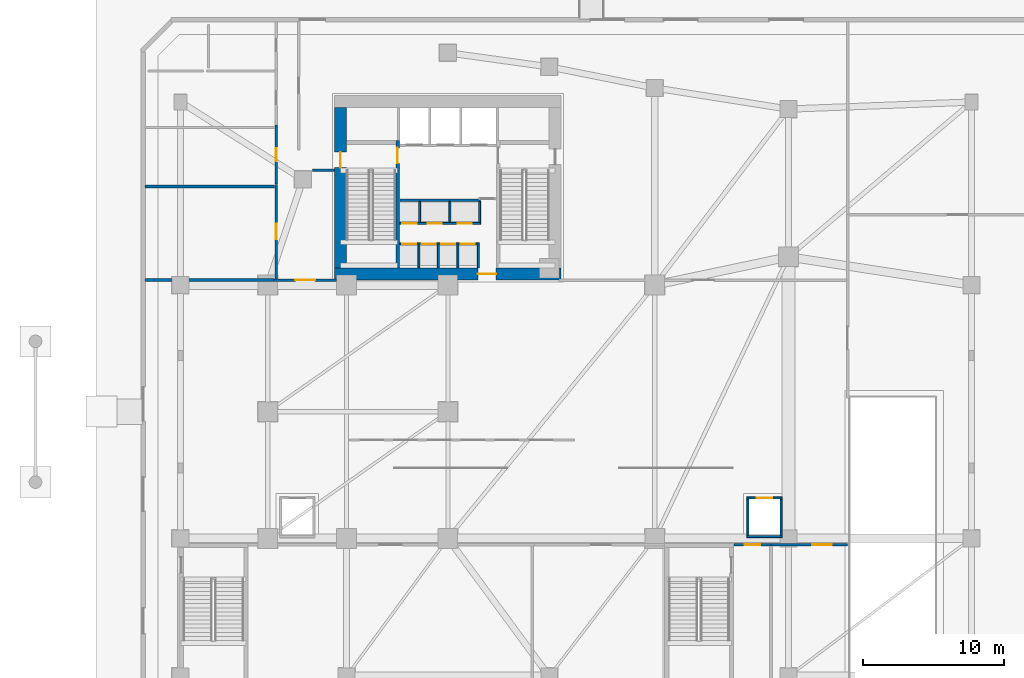
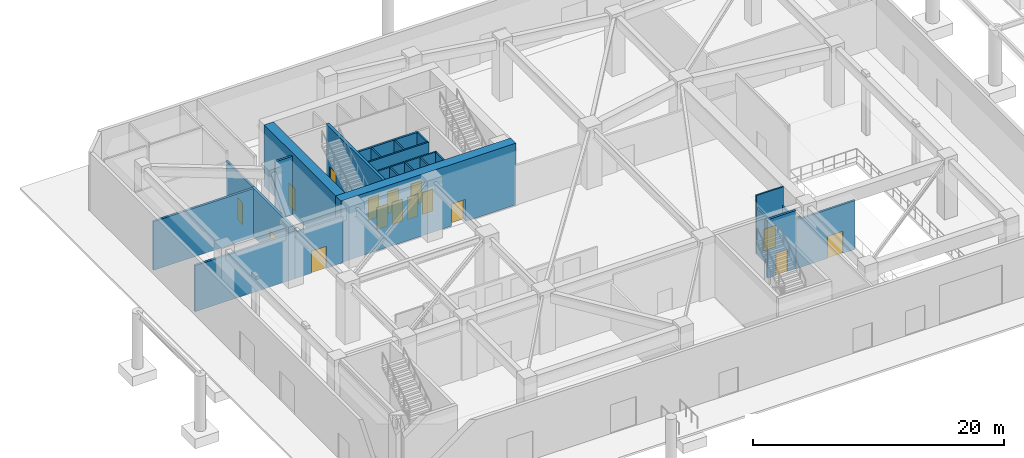
# One storey, part 4 of 13: 25 walls, 16 doors, 16 openings.
"""IFC4 building model written with IfcOpenShell, lengths in metres."""

from ifc_helpers import new_model, si_unit, direction, frame, frame_2d, origin, place, context, subcontext, project, spatial, rectangle, extrude, source, transform, mapped, material, layer, layer_set, type_object, element, fill, save


model = new_model("IFC4")

# Units and contexts
model_context = context("Model", 3, precision=1e-05, world=origin(), true_north=direction((0.0, 1.0)))
body_context = subcontext(model_context, "Body", "Model", "MODEL_VIEW")
ifc_project = project(units=[si_unit("LENGTHUNIT", "METRE"), si_unit("AREAUNIT", "SQUARE_METRE"), si_unit("VOLUMEUNIT", "CUBIC_METRE"), si_unit("PLANEANGLEUNIT", "RADIAN"), si_unit("MASSUNIT", "GRAM", prefix="KILO")], contexts=[model_context])

# Site, building, storey
site_placement = place(None, origin())
site = spatial("IfcSite", under=ifc_project, at=site_placement, CompositionType="ELEMENT")
building_placement = place(site_placement, origin())
building = spatial("IfcBuilding", under=site, at=building_placement, Name="Calvemar Wedge Station Tower", CompositionType="ELEMENT")
storey_placement = place(building_placement, origin())
storey = spatial("IfcBuildingStorey", under=building, at=storey_placement, Name="L01", CompositionType="ELEMENT", Elevation=0.0)

# Wall, opening, door
ifc_material_1 = material(Name="Concrete C50", Category="concrete")
ifc_layer_1 = layer(ifc_material_1, 0.260009765625)
ifc_layer_set_1 = layer_set([ifc_layer_1], Name="Concrete C50")
wall_type_1 = type_object("IfcWallType", Name="SW-CORE-260", PredefinedType="SHEAR", material=ifc_layer_set_1)
wall_1_placement = place(storey_placement, frame((20.22998046875, 34.199951171875, 0.0), z_axis=(0.0, 0.0, 1.0), x_axis=(0.0, 1.0, 0.0)))
wall_1 = element("IfcWall", 1, at=wall_1_placement, inside=storey, type_object=wall_type_1, Name="Storey L01 Core Shear Wall SPINE-W", PredefinedType="SHEAR", context=body_context, shape_type="SweptSolid", body=[
    extrude(rectangle(XDim=9.06005859375, YDim=0.260009765625, at=frame_2d((4.530029296875, 0.0))), origin(), (0.0, 0.0, 1.0), 6.0),
])
shared_shape_1 = source(origin(), body_context, "Body", "SweptSolid", [
    extrude(rectangle(XDim=1.10009765625, YDim=2.14990234375, at=frame_2d((0.550048828125, 1.074951171875))), frame((0.0, 0.14013671875, 0.0), z_axis=(0.0, -1.0, 0.0), x_axis=(1.0, 0.0, 0.0)), (0.0, 0.0, 1.0), 0.280029296875),
])
opening_1_placement = place(wall_1_placement, frame((7.449951171875, 0.0, 0.0)))
opening_1 = element("IfcOpeningElement", 2, at=opening_1_placement, cuts=wall_1, Name="Opening FD-90", PredefinedType="OPENING", context=body_context, shape_type="MappedRepresentation", body=[
    mapped(shared_shape_1, transform((0.0, 0.0, 0.0), scale=1.0)),
])
ifc_material_2 = material(Name="Galvanized fire-rated steel door leaf P-90", Category="steel")
door_type_1 = type_object("IfcDoorType", Name="DR-FD90-1100", OperationType="NOTDEFINED", PredefinedType="DOOR", material=ifc_material_2)
shared_shape_2 = source(origin(), body_context, "Body", "SweptSolid", [
    extrude(rectangle(XDim=1.10009765625, YDim=2.14990234375, at=frame_2d((0.550048828125, 1.074951171875))), frame((0.0, 0.02490234375, 0.0), z_axis=(0.0, -1.0, 0.0), x_axis=(1.0, 0.0, 0.0)), (0.0, 0.0, 1.0), 0.050048828125),
])
door_1_placement = place(opening_1_placement, origin())
door_1 = element("IfcDoor", 3, at=door_1_placement, inside=storey, type_object=door_type_1, Name="L01 FF Lobby to Stair ST-C1 Door", OperationType="SINGLE_SWING_RIGHT", OverallHeight=2.14990234375, OverallWidth=1.10009765625, PredefinedType="DOOR", context=body_context, shape_type="MappedRepresentation", body=[
    mapped(shared_shape_2, transform((0.0, 0.0, 0.0), scale=1.0)),
])
fill(opening_1, door_1)

ifc_material_3 = material(Name="Concrete C80", Category="concrete")
ifc_layer_2 = layer(ifc_material_3, 0.85009765625)
ifc_layer_set_2 = layer_set([ifc_layer_2], Name="Concrete C80")
wall_type_2 = type_object("IfcWallType", Name="SW-CORE-850", PredefinedType="SHEAR", material=ifc_layer_set_2)
wall_2_placement = place(storey_placement, frame((15.75, 33.77490234375, 0.0), z_axis=(0.0, 0.0, 1.0), x_axis=(1.0, 0.0, 0.0)))
wall_2 = element("IfcWall", 4, at=wall_2_placement, inside=storey, type_object=wall_type_2, Name="Storey L01 Core Shear Wall S", PredefinedType="SHEAR", context=body_context, shape_type="SweptSolid", body=[
    extrude(rectangle(XDim=16.10009765625, YDim=0.85009765625, at=frame_2d((8.050048828125, 0.0))), origin(), (0.0, 0.0, 1.0), 6.0),
])
shared_shape_3 = source(origin(), body_context, "Body", "SweptSolid", [
    extrude(rectangle(XDim=1.300048828125, YDim=2.14990234375, at=frame_2d((0.64990234375, 1.074951171875))), frame((0.0, 0.43505859375, 0.0), z_axis=(0.0, -1.0, 0.0), x_axis=(1.0, 0.0, 0.0)), (0.0, 0.0, 1.0), 0.8701171875),
])
opening_2_placement = place(wall_2_placement, frame((10.179931640625, 0.0, 0.0)))
opening_2 = element("IfcOpeningElement", 5, at=opening_2_placement, cuts=wall_2, Name="Opening DD-130", PredefinedType="OPENING", context=body_context, shape_type="MappedRepresentation", body=[
    mapped(shared_shape_3, transform((0.0, 0.0, 0.0), scale=1.0)),
])
ifc_material_4 = material(Name="Double-leaf lift lobby fire door EI 60")
door_type_2 = type_object("IfcDoorType", Name="DR-DBL-1300", OperationType="DOUBLE_DOOR_SINGLE_SWING", PredefinedType="DOOR", material=ifc_material_4)
shared_shape_4 = source(origin(), body_context, "Body", "SweptSolid", [
    extrude(rectangle(XDim=1.300048828125, YDim=2.14990234375, at=frame_2d((0.64990234375, 1.074951171875))), frame((0.0, 0.02490234375, 0.0), z_axis=(0.0, -1.0, 0.0), x_axis=(1.0, 0.0, 0.0)), (0.0, 0.0, 1.0), 0.050048828125),
])
door_2_placement = place(opening_2_placement, origin())
door_2 = element("IfcDoor", 6, at=door_2_placement, inside=storey, type_object=door_type_2, Name="L01 Passenger Lift Lobby Door", OperationType="DOUBLE_DOOR_SINGLE_SWING", OverallHeight=2.14990234375, OverallWidth=1.300048828125, PredefinedType="DOOR", context=body_context, shape_type="MappedRepresentation", body=[
    mapped(shared_shape_4, transform((0.0, 0.0, 0.0), scale=1.0)),
])
fill(opening_2, door_2)

wall_3_placement = place(storey_placement, frame((16.175048828125, 34.199951171875, 0.0), z_axis=(0.0, 0.0, 1.0), x_axis=(0.0, 1.0, 0.0)))
wall_3 = element("IfcWall", 7, at=wall_3_placement, inside=storey, type_object=wall_type_2, Name="Storey L01 Core Shear Wall W", PredefinedType="SHEAR", context=body_context, shape_type="SweptSolid", body=[
    extrude(rectangle(XDim=11.400146484375, YDim=0.85009765625, at=frame_2d((5.7001953125, 0.0))), origin(), (0.0, 0.0, 1.0), 6.0),
])
shared_shape_5 = source(origin(), body_context, "Body", "SweptSolid", [
    extrude(rectangle(XDim=1.10009765625, YDim=2.14990234375, at=frame_2d((0.550048828125, 1.074951171875))), frame((0.0, 0.43505859375, 0.0), z_axis=(0.0, -1.0, 0.0), x_axis=(1.0, 0.0, 0.0)), (0.0, 0.0, 1.0), 0.8701171875),
])
opening_3_placement = place(wall_3_placement, frame((7.14990234375, 0.0, 0.0)))
opening_3 = element("IfcOpeningElement", 8, at=opening_3_placement, cuts=wall_3, Name="Opening FD-90", PredefinedType="OPENING", context=body_context, shape_type="MappedRepresentation", body=[
    mapped(shared_shape_5, transform((0.0, 0.0, 0.0), scale=1.0)),
])
door_3_placement = place(opening_3_placement, origin())
door_3 = element("IfcDoor", 9, at=door_3_placement, inside=storey, type_object=door_type_1, Name="L01 West Corridor to Exit Stair ST-C1 Door", OperationType="SINGLE_SWING_RIGHT", OverallHeight=2.14990234375, OverallWidth=1.10009765625, PredefinedType="DOOR", context=body_context, shape_type="MappedRepresentation", body=[
    mapped(shared_shape_2, transform((0.0, 0.0, 0.0), scale=1.0)),
])
fill(opening_3, door_3)

ifc_material_5 = material(Name="Double-stud fire-rated corridor partition")
ifc_layer_3 = layer(ifc_material_5, 0.179931640625)
ifc_layer_set_3 = layer_set([ifc_layer_3], Name="Double-stud fire-rated corridor partition")
wall_type_3 = type_object("IfcWallType", Name="W-CORR-180", PredefinedType="PARTITIONING", material=ifc_layer_set_3)
wall_4_placement = place(storey_placement, frame((52.199951171875, 14.550048828125, 0.0), z_axis=(0.0, 0.0, 1.0), x_axis=(-1.0, 0.0, 0.0)))
wall_4 = element("IfcWall", 10, at=wall_4_placement, inside=storey, type_object=wall_type_3, Name="Storey L01 Interior Partition WL-L01-010", PredefinedType="PARTITIONING", context=body_context, shape_type="SweptSolid", body=[
    extrude(rectangle(XDim=5.447998046875, YDim=0.179931640625, at=frame_2d((2.72412109375, 0.0))), origin(), (0.0, 0.0, 1.0), 4.741943359375),
])
shared_shape_6 = source(origin(), body_context, "Body", "SweptSolid", [
    extrude(rectangle(XDim=1.39990234375, YDim=2.14990234375, at=frame_2d((0.699951171875, 1.074951171875))), frame((0.0, 0.10009765625, 0.0), z_axis=(0.0, -1.0, 0.0), x_axis=(1.0, 0.0, 0.0)), (0.0, 0.0, 1.0), 0.199951171875),
])
opening_4_placement = place(wall_4_placement, frame((1.121826171875, 0.0, 0.0)))
opening_4 = element("IfcOpeningElement", 11, at=opening_4_placement, cuts=wall_4, Name="Opening DD-140", PredefinedType="OPENING", context=body_context, shape_type="MappedRepresentation", body=[
    mapped(shared_shape_6, transform((0.0, 0.0, 0.0), scale=1.0)),
])
ifc_material_6 = material(Name="Double-leaf corridor acoustic fire door EI 60")
door_type_3 = type_object("IfcDoorType", Name="DR-DBL-1400", OperationType="DOUBLE_DOOR_SINGLE_SWING", PredefinedType="DOOR", material=ifc_material_6)
shared_shape_7 = source(origin(), body_context, "Body", "SweptSolid", [
    extrude(rectangle(XDim=1.39990234375, YDim=2.14990234375, at=frame_2d((0.699951171875, 1.074951171875))), frame((0.0, 0.02490234375, 0.0), z_axis=(0.0, -1.0, 0.0), x_axis=(1.0, 0.0, 0.0)), (0.0, 0.0, 1.0), 0.050048828125),
])
door_4_placement = place(opening_4_placement, origin())
door_4 = element("IfcDoor", 12, at=door_4_placement, inside=storey, type_object=door_type_3, Name="L01 Station Retail Shop 2 Door", OperationType="SINGLE_SWING_LEFT", OverallHeight=2.14990234375, OverallWidth=1.39990234375, PredefinedType="DOOR", context=body_context, shape_type="MappedRepresentation", body=[
    mapped(shared_shape_7, transform((0.0, 0.0, 0.0), scale=1.0)),
])
fill(opening_4, door_4)

wall_5_placement = place(storey_placement, frame((11.43994140625, 33.35009765625, 0.0), z_axis=(0.0, 0.0, 1.0), x_axis=(1.0, 0.0, 0.0)))
wall_5 = element("IfcWall", 13, at=wall_5_placement, inside=storey, type_object=wall_type_3, Name="Storey L01 Interior Partition WL-L01-011", PredefinedType="PARTITIONING", context=body_context, shape_type="SweptSolid", body=[
    extrude(rectangle(XDim=4.449951171875, YDim=0.179931640625, at=frame_2d((2.22509765625, 0.0))), origin(), (0.0, 0.0, 1.0), 4.491943359375),
])
opening_5_placement = place(wall_5_placement, frame((1.52490234375, 0.0, 0.0)))
opening_5 = element("IfcOpeningElement", 14, at=opening_5_placement, cuts=wall_5, Name="Opening DD-140", PredefinedType="OPENING", context=body_context, shape_type="MappedRepresentation", body=[
    mapped(shared_shape_6, transform((0.0, 0.0, 0.0), scale=1.0)),
])
door_5_placement = place(opening_5_placement, origin())
door_5 = element("IfcDoor", 15, at=door_5_placement, inside=storey, type_object=door_type_3, Name="L01 West Concourse Toilet Corridor Door", OperationType="SINGLE_SWING_RIGHT", OverallHeight=2.14990234375, OverallWidth=1.39990234375, PredefinedType="DOOR", context=body_context, shape_type="MappedRepresentation", body=[
    mapped(shared_shape_7, transform((0.0, 0.0, 0.0), scale=1.0)),
])
fill(opening_5, door_5)

wall_6_placement = place(storey_placement, frame((11.60009765625, 40.162109375, 0.0), z_axis=(0.0, 0.0, 1.0), x_axis=(0.0, 1.0, 0.0)))
wall_6 = element("IfcWall", 16, at=wall_6_placement, inside=storey, type_object=wall_type_3, Name="Storey L01 Interior Partition WL-L01-018", PredefinedType="PARTITIONING", context=body_context, shape_type="SweptSolid", body=[
    extrude(rectangle(XDim=4.197998046875, YDim=0.179931640625, at=frame_2d((2.09912109375, 0.0))), origin(), (0.0, 0.0, 1.0), 4.741943359375),
])
shared_shape_8 = source(origin(), body_context, "Body", "SweptSolid", [
    extrude(rectangle(XDim=0.89990234375, YDim=2.14990234375, at=frame_2d((0.449951171875, 1.074951171875))), frame((0.0, 0.10009765625, 0.0), z_axis=(0.0, -1.0, 0.0), x_axis=(1.0, 0.0, 0.0)), (0.0, 0.0, 1.0), 0.199951171875),
])
opening_6_placement = place(wall_6_placement, frame((1.64892578125, 0.0, 0.0)))
opening_6 = element("IfcOpeningElement", 17, at=opening_6_placement, cuts=wall_6, Name="Opening D-01", PredefinedType="OPENING", context=body_context, shape_type="MappedRepresentation", body=[
    mapped(shared_shape_8, transform((0.0, 0.0, 0.0), scale=1.0)),
])
ifc_material_7 = material(Name="Architectural hardwood acoustic swing door", Category="wood")
door_type_4 = type_object("IfcDoorType", Name="DR-INT-900", OperationType="NOTDEFINED", PredefinedType="DOOR", material=ifc_material_7)
shared_shape_9 = source(origin(), body_context, "Body", "SweptSolid", [
    extrude(rectangle(XDim=0.89990234375, YDim=2.14990234375, at=frame_2d((0.449951171875, 1.074951171875))), frame((0.0, 0.02490234375, 0.0), z_axis=(0.0, -1.0, 0.0), x_axis=(1.0, 0.0, 0.0)), (0.0, 0.0, 1.0), 0.050048828125),
])
door_6_placement = place(opening_6_placement, origin())
door_6 = element("IfcDoor", 18, at=door_6_placement, inside=storey, type_object=door_type_4, Name="L01 Male Toilet Door", OperationType="SINGLE_SWING_RIGHT", OverallHeight=2.14990234375, OverallWidth=0.89990234375, PredefinedType="DOOR", context=body_context, shape_type="MappedRepresentation", body=[
    mapped(shared_shape_9, transform((0.0, 0.0, 0.0), scale=1.0)),
])
fill(opening_6, door_6)

# Wall, openings, doors
ifc_material_8 = material(Name="Reinforced concrete blockwork lift shaft wall", Category="masonry")
ifc_layer_4 = layer(ifc_material_8, 0.139892578125)
ifc_layer_set_4 = layer_set([ifc_layer_4], Name="Reinforced concrete blockwork lift shaft wall")
wall_type_4 = type_object("IfcWallType", Name="W-LIFT-160", PredefinedType="SOLIDWALL", material=ifc_layer_set_4)
wall_7_placement = place(storey_placement, frame((20.3798828125, 35.919921875, 0.0), z_axis=(0.0, 0.0, 1.0), x_axis=(1.0, 0.0, 0.0)))
wall_7 = element("IfcWall", 19, at=wall_7_placement, inside=storey, type_object=wall_type_4, Name="Storey L01 South Passenger Lift Bank Front Wall", PredefinedType="SOLIDWALL", context=body_context, shape_type="SweptSolid", body=[
    extrude(rectangle(XDim=5.650146484375, YDim=0.139892578125, at=frame_2d((2.8251953125, 0.0))), origin(), (0.0, 0.0, 1.0), 5.699951171875),
])
shared_shape_10 = source(origin(), body_context, "Body", "SweptSolid", [
    extrude(rectangle(XDim=1.0, YDim=2.14990234375, at=frame_2d((0.5, 1.074951171875))), frame((0.0, 0.080078125, 0.0), z_axis=(0.0, -1.0, 0.0), x_axis=(1.0, 0.0, 0.0)), (0.0, 0.0, 1.0), 0.159912109375),
])
opening_7_placement = place(wall_7_placement, frame((0.159912109375, 0.0, 0.0)))
opening_7 = element("IfcOpeningElement", 20, at=opening_7_placement, cuts=wall_7, Name="Opening LD-PAX", PredefinedType="OPENING", context=body_context, shape_type="MappedRepresentation", body=[
    mapped(shared_shape_10, transform((0.0, 0.0, 0.0), scale=1.0)),
])
opening_8_placement = place(wall_7_placement, frame((1.550048828125, 0.0, 0.0)))
opening_8 = element("IfcOpeningElement", 21, at=opening_8_placement, cuts=wall_7, Name="Opening LD-PAX", PredefinedType="OPENING", context=body_context, shape_type="MappedRepresentation", body=[
    mapped(shared_shape_10, transform((0.0, 0.0, 0.0), scale=1.0)),
])
opening_9_placement = place(wall_7_placement, frame((2.93994140625, 0.0, 0.0)))
opening_9 = element("IfcOpeningElement", 22, at=opening_9_placement, cuts=wall_7, Name="Opening LD-PAX", PredefinedType="OPENING", context=body_context, shape_type="MappedRepresentation", body=[
    mapped(shared_shape_10, transform((0.0, 0.0, 0.0), scale=1.0)),
])
opening_10_placement = place(wall_7_placement, frame((4.330078125, 0.0, 0.0)))
opening_10 = element("IfcOpeningElement", 23, at=opening_10_placement, cuts=wall_7, Name="Opening LD-PAX", PredefinedType="OPENING", context=body_context, shape_type="MappedRepresentation", body=[
    mapped(shared_shape_10, transform((0.0, 0.0, 0.0), scale=1.0)),
])
ifc_material_9 = material(Name="Anodised bronze passenger lift sliding landing door")
door_type_5 = type_object("IfcDoorType", Name="DR-LD-PAX-1000", OperationType="SLIDING_TO_LEFT", PredefinedType="DOOR", material=ifc_material_9)
shared_shape_11 = source(origin(), body_context, "Body", "SweptSolid", [
    extrude(rectangle(XDim=1.0, YDim=2.14990234375, at=frame_2d((0.5, 1.074951171875))), frame((0.0, 0.02490234375, 0.0), z_axis=(0.0, -1.0, 0.0), x_axis=(1.0, 0.0, 0.0)), (0.0, 0.0, 1.0), 0.050048828125),
])
door_7_placement = place(opening_7_placement, origin())
door_7 = element("IfcDoor", 24, at=door_7_placement, inside=storey, type_object=door_type_5, Name="L01 Lift OL-01 Sliding Landing Door", OperationType="SLIDING_TO_LEFT", OverallHeight=2.14990234375, OverallWidth=1.0, PredefinedType="DOOR", context=body_context, shape_type="MappedRepresentation", body=[
    mapped(shared_shape_11, transform((0.0, 0.0, 0.0), scale=1.0)),
])
fill(opening_7, door_7)
door_8_placement = place(opening_8_placement, origin())
door_8 = element("IfcDoor", 25, at=door_8_placement, inside=storey, type_object=door_type_5, Name="L01 Lift OL-02 Sliding Landing Door", OperationType="SLIDING_TO_RIGHT", OverallHeight=2.14990234375, OverallWidth=1.0, PredefinedType="DOOR", context=body_context, shape_type="MappedRepresentation", body=[
    mapped(shared_shape_11, transform((0.0, 0.0, 0.0), scale=1.0)),
])
fill(opening_8, door_8)
door_9_placement = place(opening_9_placement, origin())
door_9 = element("IfcDoor", 26, at=door_9_placement, inside=storey, type_object=door_type_5, Name="L01 Lift HL-01 Sliding Landing Door", OperationType="SLIDING_TO_LEFT", OverallHeight=2.14990234375, OverallWidth=1.0, PredefinedType="DOOR", context=body_context, shape_type="MappedRepresentation", body=[
    mapped(shared_shape_11, transform((0.0, 0.0, 0.0), scale=1.0)),
])
fill(opening_9, door_9)
door_10_placement = place(opening_10_placement, origin())
door_10 = element("IfcDoor", 27, at=door_10_placement, inside=storey, type_object=door_type_5, Name="L01 Lift HL-02 Sliding Landing Door", OperationType="SLIDING_TO_RIGHT", OverallHeight=2.14990234375, OverallWidth=1.0, PredefinedType="DOOR", context=body_context, shape_type="MappedRepresentation", body=[
    mapped(shared_shape_11, transform((0.0, 0.0, 0.0), scale=1.0)),
])
fill(opening_10, door_10)

# Walls
for number, where, z_axis, x_axis, name in (
    (28, (25.9599609375, 34.219970703125, 0.0), (0.0, 0.0, 1.0), (0.0, 1.0, 0.0), "Storey L01 South Passenger Lift Shaft Wall E"),
    (29, (21.735107421875, 34.219970703125, 0.0), (0.0, 0.0, 1.0), (0.0, 1.0, 0.0), "Storey L01 South Passenger Lift Shaft Wall D1"),
    (30, (23.125, 34.219970703125, 0.0), (0.0, 0.0, 1.0), (0.0, 1.0, 0.0), "Storey L01 South Passenger Lift Shaft Wall D2"),
    (31, (24.514892578125, 34.219970703125, 0.0), (0.0, 0.0, 1.0), (0.0, 1.0, 0.0), "Storey L01 South Passenger Lift Shaft Wall D3"),
):
    element("IfcWall", number, at=place(storey_placement, frame(where, z_axis=z_axis, x_axis=x_axis)), inside=storey, type_object=wall_type_4, Name=name, PredefinedType="SOLIDWALL", context=body_context, shape_type="SweptSolid", body=[
        extrude(rectangle(XDim=1.6201171875, YDim=0.139892578125, at=frame_2d((0.81005859375, 0.0))), origin(), (0.0, 0.0, 1.0), 5.699951171875),
    ])

# Wall, openings, doors
wall_8_placement = place(storey_placement, frame((20.3798828125, 37.3798828125, 0.0), z_axis=(0.0, 0.0, 1.0), x_axis=(1.0, 0.0, 0.0)))
wall_8 = element("IfcWall", 32, at=wall_8_placement, inside=storey, type_object=wall_type_4, Name="Storey L01 Upper Passenger Lift Bank Front Wall", PredefinedType="SOLIDWALL", context=body_context, shape_type="SweptSolid", body=[
    extrude(rectangle(XDim=5.75, YDim=0.139892578125, at=frame_2d((2.875, 0.0))), origin(), (0.0, 0.0, 1.0), 5.699951171875),
])
opening_11_placement = place(wall_8_placement, frame((0.18994140625, 0.0, 0.0)))
opening_11 = element("IfcOpeningElement", 33, at=opening_11_placement, cuts=wall_8, Name="Opening LD-PAX", PredefinedType="OPENING", context=body_context, shape_type="MappedRepresentation", body=[
    mapped(shared_shape_10, transform((0.0, 0.0, 0.0), scale=1.0)),
])
opening_12_placement = place(wall_8_placement, frame((1.985107421875, 0.0, 0.0)))
opening_12 = element("IfcOpeningElement", 34, at=opening_12_placement, cuts=wall_8, Name="Opening LD-PAX", PredefinedType="OPENING", context=body_context, shape_type="MappedRepresentation", body=[
    mapped(shared_shape_10, transform((0.0, 0.0, 0.0), scale=1.0)),
])
opening_13_placement = place(wall_8_placement, frame((4.125, 0.0, 0.0)))
opening_13 = element("IfcOpeningElement", 35, at=opening_13_placement, cuts=wall_8, Name="Opening LD-PAX", PredefinedType="OPENING", context=body_context, shape_type="MappedRepresentation", body=[
    mapped(shared_shape_10, transform((0.0, 0.0, 0.0), scale=1.0)),
])
door_11_placement = place(opening_11_placement, origin())
door_11 = element("IfcDoor", 36, at=door_11_placement, inside=storey, type_object=door_type_5, Name="L01 Lift RH-01 Sliding Landing Door", OperationType="SLIDING_TO_LEFT", OverallHeight=2.14990234375, OverallWidth=1.0, PredefinedType="DOOR", context=body_context, shape_type="MappedRepresentation", body=[
    mapped(shared_shape_11, transform((0.0, 0.0, 0.0), scale=1.0)),
])
fill(opening_11, door_11)
door_12_placement = place(opening_12_placement, origin())
door_12 = element("IfcDoor", 37, at=door_12_placement, inside=storey, type_object=door_type_5, Name="L01 Lift RH-02 Sliding Landing Door", OperationType="SLIDING_TO_RIGHT", OverallHeight=2.14990234375, OverallWidth=1.0, PredefinedType="DOOR", context=body_context, shape_type="MappedRepresentation", body=[
    mapped(shared_shape_11, transform((0.0, 0.0, 0.0), scale=1.0)),
])
fill(opening_12, door_12)
door_13_placement = place(opening_13_placement, origin())
door_13 = element("IfcDoor", 38, at=door_13_placement, inside=storey, type_object=door_type_5, Name="L01 Lift RH-03 Sliding Landing Door", OperationType="SLIDING_TO_LEFT", OverallHeight=2.14990234375, OverallWidth=1.0, PredefinedType="DOOR", context=body_context, shape_type="MappedRepresentation", body=[
    mapped(shared_shape_11, transform((0.0, 0.0, 0.0), scale=1.0)),
])
fill(opening_13, door_13)

# Walls
for number, where, z_axis, x_axis, name in (
    (39, (26.06005859375, 37.4599609375, 0.0), (0.0, 0.0, 1.0), (0.0, 1.0, 0.0), "Storey L01 Upper Passenger Lift Shaft Wall E"),
    (40, (21.794921875, 37.4599609375, 0.0), (0.0, 0.0, 1.0), (0.0, 1.0, 0.0), "Storey L01 Upper Passenger Lift Shaft Wall D1"),
    (41, (23.93505859375, 37.4599609375, 0.0), (0.0, 0.0, 1.0), (0.0, 1.0, 0.0), "Storey L01 Upper Passenger Lift Shaft Wall D2"),
):
    element("IfcWall", number, at=place(storey_placement, frame(where, z_axis=z_axis, x_axis=x_axis)), inside=storey, type_object=wall_type_4, Name=name, PredefinedType="SOLIDWALL", context=body_context, shape_type="SweptSolid", body=[
        extrude(rectangle(XDim=1.47998046875, YDim=0.139892578125, at=frame_2d((0.739990234375, 0.0))), origin(), (0.0, 0.0, 1.0), 5.699951171875),
    ])

# Wall, opening, door
wall_9_placement = place(storey_placement, frame((45.050048828125, 17.8798828125, 0.0), z_axis=(0.0, 0.0, 1.0), x_axis=(1.0, 0.0, 0.0)))
wall_9 = element("IfcWall", 42, at=wall_9_placement, inside=storey, type_object=wall_type_4, Name="Storey L01 Station Lift SL-02 Shaft Wall N", PredefinedType="SOLIDWALL", context=body_context, shape_type="SweptSolid", body=[
    extrude(rectangle(XDim=2.5, YDim=0.139892578125, at=frame_2d((1.25, 0.0))), origin(), (0.0, 0.0, 1.0), 5.699951171875),
])
shared_shape_12 = source(origin(), body_context, "Body", "SweptSolid", [
    extrude(rectangle(XDim=1.10009765625, YDim=2.14990234375, at=frame_2d((0.550048828125, 1.074951171875))), frame((0.0, 0.080078125, 0.0), z_axis=(0.0, -1.0, 0.0), x_axis=(1.0, 0.0, 0.0)), (0.0, 0.0, 1.0), 0.159912109375),
])
opening_14_placement = place(wall_9_placement, frame((0.699951171875, 0.0, 0.0)))
opening_14 = element("IfcOpeningElement", 43, at=opening_14_placement, cuts=wall_9, Name="Opening LD-STN", PredefinedType="OPENING", context=body_context, shape_type="MappedRepresentation", body=[
    mapped(shared_shape_12, transform((0.0, 0.0, 0.0), scale=1.0)),
])
ifc_material_10 = material(Name="Stainless steel transit lift sliding landing door", Category="steel")
door_type_6 = type_object("IfcDoorType", Name="DR-LD-PAX-1100", OperationType="SLIDING_TO_LEFT", PredefinedType="DOOR", material=ifc_material_10)
shared_shape_13 = source(origin(), body_context, "Body", "SweptSolid", [
    extrude(rectangle(XDim=1.10009765625, YDim=2.14990234375, at=frame_2d((0.550048828125, 1.074951171875))), frame((0.0, 0.02490234375, 0.0), z_axis=(0.0, -1.0, 0.0), x_axis=(1.0, 0.0, 0.0)), (0.0, 0.0, 1.0), 0.050048828125),
])
door_14_placement = place(opening_14_placement, origin())
door_14 = element("IfcDoor", 44, at=door_14_placement, inside=storey, type_object=door_type_6, Name="L01 Station Lift SL-02 Sliding Landing Door", OperationType="SLIDING_TO_RIGHT", OverallHeight=2.14990234375, OverallWidth=1.10009765625, PredefinedType="DOOR", context=body_context, shape_type="MappedRepresentation", body=[
    mapped(shared_shape_13, transform((0.0, 0.0, 0.0), scale=1.0)),
])
fill(opening_14, door_14)

# Walls
wall_10_placement = place(storey_placement, frame((45.050048828125, 15.1201171875, 0.0), z_axis=(0.0, 0.0, 1.0), x_axis=(1.0, 0.0, 0.0)))
element("IfcWall", 45, at=wall_10_placement, inside=storey, type_object=wall_type_4, Name="Storey L01 Station Lift SL-02 Shaft Wall S", PredefinedType="SOLIDWALL", context=body_context, shape_type="SweptSolid", body=[
    extrude(rectangle(XDim=2.5, YDim=0.139892578125, at=frame_2d((1.25, 0.0))), origin(), (0.0, 0.0, 1.0), 4.491943359375),
])
wall_11_placement = place(storey_placement, frame((45.1201171875, 15.219970703125, 0.0), z_axis=(0.0, 0.0, 1.0), x_axis=(0.0, 1.0, 0.0)))
element("IfcWall", 46, at=wall_11_placement, inside=storey, type_object=wall_type_4, Name="Storey L01 Station Lift SL-02 Shaft Wall W", PredefinedType="SOLIDWALL", context=body_context, shape_type="SweptSolid", body=[
    extrude(rectangle(XDim=2.56005859375, YDim=0.139892578125, at=frame_2d((1.280029296875, 0.0))), origin(), (0.0, 0.0, 1.0), 4.491943359375),
])
wall_12_placement = place(storey_placement, frame((47.47998046875, 15.219970703125, 0.0), z_axis=(0.0, 0.0, 1.0), x_axis=(0.0, 1.0, 0.0)))
element("IfcWall", 47, at=wall_12_placement, inside=storey, type_object=wall_type_4, Name="Storey L01 Station Lift SL-02 Shaft Wall E", PredefinedType="SOLIDWALL", context=body_context, shape_type="SweptSolid", body=[
    extrude(rectangle(XDim=2.56005859375, YDim=0.139892578125, at=frame_2d((1.280029296875, 0.0))), origin(), (0.0, 0.0, 1.0), 3.89208984375),
])
ifc_material_11 = material(Name="Concrete blockwork and fireboard shaft wall", Category="masonry")
ifc_layer_5 = layer(ifc_material_11, 0.199951171875)
ifc_layer_set_5 = layer_set([ifc_layer_5], Name="Concrete blockwork and fireboard shaft wall")
wall_type_5 = type_object("IfcWallType", Name="W-SHAFT-200", PredefinedType="SOLIDWALL", material=ifc_layer_set_5)
wall_13_placement = place(storey_placement, frame((20.3798828125, 39.0400390625, 0.0), z_axis=(0.0, 0.0, 1.0), x_axis=(1.0, 0.0, 0.0)))
element("IfcWall", 48, at=wall_13_placement, inside=storey, type_object=wall_type_5, Name="Storey L01 Upper Passenger Lift Bank Rear Shaft Wall", PredefinedType="SOLIDWALL", context=body_context, shape_type="SweptSolid", body=[
    extrude(rectangle(XDim=5.75, YDim=0.179931640625, at=frame_2d((2.875, 0.0))), origin(), (0.0, 0.0, 1.0), 5.699951171875),
])

# Wall, opening, door
wall_14_placement = place(storey_placement, frame((44.1201171875, 14.550048828125, 0.0), z_axis=(0.0, 0.0, 1.0), x_axis=(1.0, 0.0, 0.0)))
wall_14 = element("IfcWall", 49, at=wall_14_placement, inside=storey, type_object=wall_type_5, Name="Storey L01 Interior Partition WL-L01-002", PredefinedType="SOLIDWALL", context=body_context, shape_type="SweptSolid", body=[
    extrude(rectangle(XDim=2.6298828125, YDim=0.199951171875, at=frame_2d((1.31494140625, 0.0))), origin(), (0.0, 0.0, 1.0), 5.699951171875),
])
shared_shape_14 = source(origin(), body_context, "Body", "SweptSolid", [
    extrude(rectangle(XDim=1.10009765625, YDim=2.14990234375, at=frame_2d((0.550048828125, 1.074951171875))), frame((0.0, 0.10986328125, 0.0), z_axis=(0.0, -1.0, 0.0), x_axis=(1.0, 0.0, 0.0)), (0.0, 0.0, 1.0), 0.219970703125),
])
opening_15_placement = place(wall_14_placement, frame((0.764892578125, 0.0, 0.0)))
opening_15 = element("IfcOpeningElement", 50, at=opening_15_placement, cuts=wall_14, Name="Opening FD-90", PredefinedType="OPENING", context=body_context, shape_type="MappedRepresentation", body=[
    mapped(shared_shape_14, transform((0.0, 0.0, 0.0), scale=1.0)),
])
door_15_placement = place(opening_15_placement, origin())
door_15 = element("IfcDoor", 51, at=door_15_placement, inside=storey, type_object=door_type_1, Name="L01 South Stair Protected Exit Discharge Passage Door", OperationType="SINGLE_SWING_RIGHT", OverallHeight=2.14990234375, OverallWidth=1.10009765625, PredefinedType="DOOR", context=body_context, shape_type="MappedRepresentation", body=[
    mapped(shared_shape_2, transform((0.0, 0.0, 0.0), scale=1.0)),
])
fill(opening_15, door_15)

# Walls
wall_15_placement = place(storey_placement, frame((15.72998046875, 41.14990234375, 0.0), z_axis=(0.0, 0.0, 1.0), x_axis=(-1.0, 0.0, 0.0)))
element("IfcWall", 52, at=wall_15_placement, inside=storey, type_object=wall_type_5, Name="Storey L01 Interior Partition WL-L01-005", PredefinedType="SOLIDWALL", context=body_context, shape_type="SweptSolid", body=[
    extrude(rectangle(XDim=1.550048828125, YDim=0.199951171875, at=frame_2d((0.77490234375, 0.0))), origin(), (0.0, 0.0, 1.0), 5.699951171875),
])
wall_16_placement = place(storey_placement, frame((2.264892578125, 33.35009765625, 0.0), z_axis=(0.0, 0.0, 1.0), x_axis=(1.0, 0.0, 0.0)))
element("IfcWall", 53, at=wall_16_placement, inside=storey, type_object=wall_type_5, Name="Storey L01 Interior Partition WL-L01-012", PredefinedType="SOLIDWALL", context=body_context, shape_type="SweptSolid", body=[
    extrude(rectangle(XDim=9.173095703125, YDim=0.199951171875, at=frame_2d((4.58642578125, 0.0))), origin(), (0.0, 0.0, 1.0), 4.491943359375),
])

# Wall, opening, door
wall_17_placement = place(storey_placement, frame((11.60009765625, 33.444091796875, 0.0), z_axis=(0.0, 0.0, 1.0), x_axis=(0.0, 1.0, 0.0)))
wall_17 = element("IfcWall", 54, at=wall_17_placement, inside=storey, type_object=wall_type_5, Name="Storey L01 Interior Partition WL-L01-017", PredefinedType="SOLIDWALL", context=body_context, shape_type="SweptSolid", body=[
    extrude(rectangle(XDim=6.7158203125, YDim=0.199951171875, at=frame_2d((3.35791015625, 0.0))), origin(), (0.0, 0.0, 1.0), 4.741943359375),
])
opening_16_placement = place(wall_17_placement, frame((2.80810546875, 0.0, 0.0)))
opening_16 = element("IfcOpeningElement", 55, at=opening_16_placement, cuts=wall_17, Name="Opening FD-90", PredefinedType="OPENING", context=body_context, shape_type="MappedRepresentation", body=[
    mapped(shared_shape_14, transform((0.0, 0.0, 0.0), scale=1.0)),
])
door_16_placement = place(opening_16_placement, origin())
door_16 = element("IfcDoor", 56, at=door_16_placement, inside=storey, type_object=door_type_1, Name="L01 Fire Command Centre Door", OperationType="SINGLE_SWING_LEFT", OverallHeight=2.14990234375, OverallWidth=1.10009765625, PredefinedType="DOOR", context=body_context, shape_type="MappedRepresentation", body=[
    mapped(shared_shape_2, transform((0.0, 0.0, 0.0), scale=1.0)),
])
fill(opening_16, door_16)

# Wall
wall_18_placement = place(storey_placement, frame((2.264892578125, 40.0, 0.0), z_axis=(0.0, 0.0, 1.0), x_axis=(1.0, 0.0, 0.0)))
element("IfcWall", 57, at=wall_18_placement, inside=storey, type_object=wall_type_5, Name="Storey L01 Interior Partition WL-L01-021", PredefinedType="SOLIDWALL", context=body_context, shape_type="SweptSolid", body=[
    extrude(rectangle(XDim=9.231201171875, YDim=0.199951171875, at=frame_2d((4.61572265625, 0.0))), origin(), (0.0, 0.0, 1.0), 4.741943359375),
])

save(model, "model.ifc")
